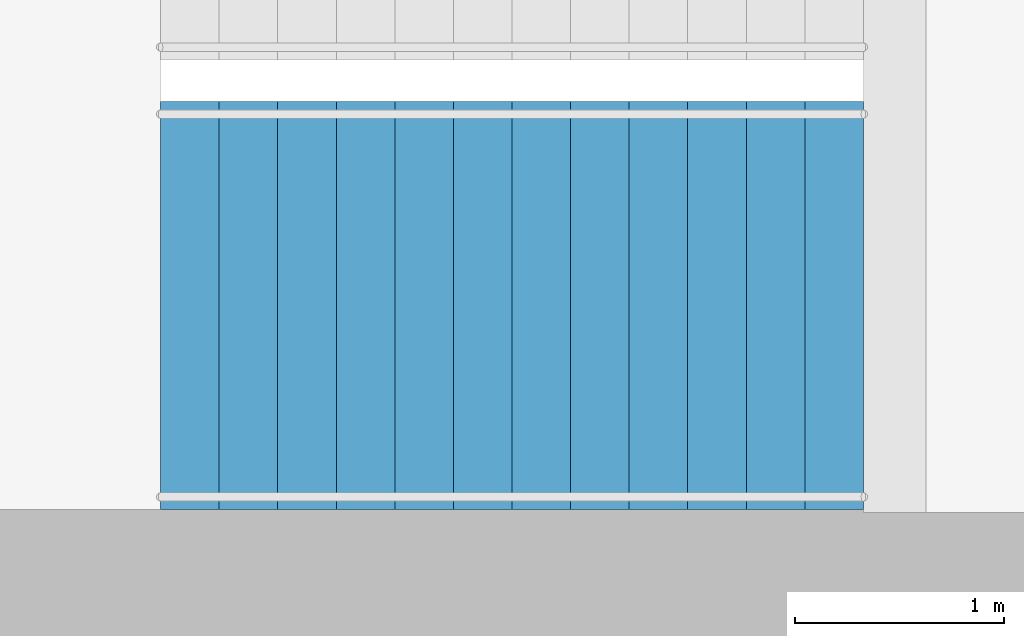
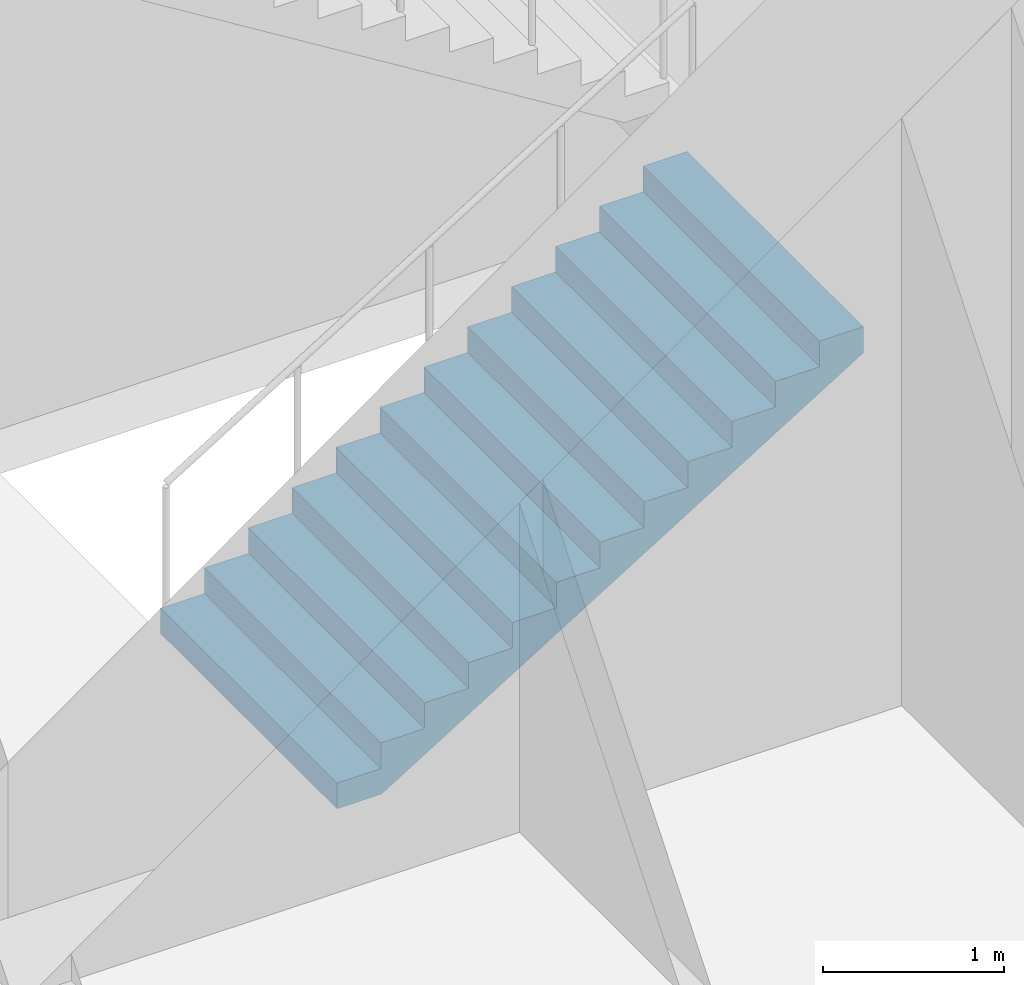
# One storey, part 22 of 35: 1 stair flight, 1 element without a shape of its own.
"""IFC4 building model written with IfcOpenShell, lengths in metres."""

from ifc_helpers import new_model, si_unit, direction, frame, origin, place, context, subcontext, project, spatial, triangles, material, type_object, element, aggregate, save


model = new_model("IFC4")

# Units and contexts
model_context = context("Model", 3, precision=1e-05, world=origin(), true_north=direction((0.0, 1.0)))
body_context = subcontext(model_context, "Body", "Model", "MODEL_VIEW")
ifc_project = project(units=[si_unit("LENGTHUNIT", "METRE"), si_unit("AREAUNIT", "SQUARE_METRE"), si_unit("VOLUMEUNIT", "CUBIC_METRE"), si_unit("PLANEANGLEUNIT", "RADIAN"), si_unit("MASSUNIT", "GRAM", prefix="KILO")], contexts=[model_context])

# Site, building, storey
site_placement = place(None, origin())
site = spatial("IfcSite", under=ifc_project, at=site_placement, CompositionType="ELEMENT")
building_placement = place(site_placement, origin())
building = spatial("IfcBuilding", under=site, at=building_placement, Name="Orbita Commons", CompositionType="ELEMENT")
storey_placement = place(building_placement, frame((0.0, 0.0, 208.300048828125)))
storey = spatial("IfcBuildingStorey", under=building, at=storey_placement, Name="L51", CompositionType="ELEMENT", Elevation=208.300048828125)

# Stair, stair flight
ifc_material_1 = material(Name="Precast concrete C40/50", Category="concrete")
stair_type = type_object("IfcStairType", Name="Exit stair S1 2 flights 13 risers 173", PredefinedType="HALF_TURN_STAIR", material=ifc_material_1)
stair_placement = place(storey_placement, origin())
stair = element("IfcStair", 1, at=stair_placement, inside=storey, type_object=stair_type, Name="Exit stair S1 L51", PredefinedType="HALF_TURN_STAIR")
ifc_material_2 = material(Name="Precast concrete C40/50", Category="concrete")
stair_flight_type = type_object("IfcStairFlightType", Name="Stair flight 13 risers 173 x 280", PredefinedType="STRAIGHT", material=ifc_material_2)
stair_flight_placement = place(storey_placement, frame((20.449951171875, 27.125, 0.0), z_axis=(0.0, 0.0, 1.0), x_axis=(1.0, 0.0, 0.0)))
stair_flight = element("IfcStairFlight", 2, at=stair_flight_placement, type_object=stair_flight_type, Name="S1 flight 1", NumberOfRisers=13, NumberOfTreads=12, PredefinedType="STRAIGHT", RiserHeight=0.173076923, TreadLength=0.28, context=body_context, shape_type="Tessellation", body=[
    triangles([(0.0, 0.974976, 0.0), (0.0, 0.974976, 0.021635), (0.0, 0.81248, 0.021635), (0.0, 0.81248, 0.0), (0.0, 0.649984, 0.021635), (0.0, 0.649984, 0.0), (0.0, 0.487488, 0.021635), (0.0, 0.487488, 0.0), (0.0, 0.324992, 0.021635), (0.0, 0.324992, 0.0), (0.0, 0.162496, 0.021635), (0.0, 0.162496, 0.0), (0.0, 0.0, 0.021635), (0.0, 0.0, 0.0), (0.0, -0.162496, 0.021635), (0.0, -0.162496, 0.0), (0.0, -0.324992, 0.021635), (0.0, -0.324992, 0.0), (0.0, -0.487488, 0.021635), (0.0, -0.487488, 0.0), (0.0, -0.649984, 0.021635), (0.0, -0.649984, 0.0), (0.0, -0.81248, 0.021635), (0.0, -0.81248, 0.0), (0.0, -0.974976, 0.021635), (0.0, -0.974976, 0.0), (0.0, 0.974976, 0.043269), (0.0, 0.81248, 0.043269), (0.0, 0.649984, 0.043269), (0.0, 0.487488, 0.043269), (0.0, 0.324992, 0.043269), (0.0, 0.162496, 0.043269), (0.0, 0.0, 0.043269), (0.0, -0.162496, 0.043269), (0.0, -0.324992, 0.043269), (0.0, -0.487488, 0.043269), (0.0, -0.649984, 0.043269), (0.0, -0.81248, 0.043269), (0.0, -0.974976, 0.043269), (0.0, 0.974976, 0.064904), (0.0, 0.81248, 0.064904), (0.0, 0.649984, 0.064904), (0.0, 0.487488, 0.064904), (0.0, 0.324992, 0.064904), (0.0, 0.162496, 0.064904), (0.0, 0.0, 0.064904), (0.0, -0.162496, 0.064904), (0.0, -0.324992, 0.064904), (0.0, -0.487488, 0.064904), (0.0, -0.649984, 0.064904), (0.0, -0.81248, 0.064904), (0.0, -0.974976, 0.064904), (0.0, 0.974976, 0.086538), (0.0, 0.81248, 0.086538), (0.0, 0.649984, 0.086538), (0.0, 0.487488, 0.086538), (0.0, 0.324992, 0.086538), (0.0, 0.162496, 0.086538), (0.0, 0.0, 0.086538), (0.0, -0.162496, 0.086538), (0.0, -0.324992, 0.086538), (0.0, -0.487488, 0.086538), (0.0, -0.649984, 0.086538), (0.0, -0.81248, 0.086538), (0.0, -0.974976, 0.086538), (0.0, 0.974976, 0.108173), (0.0, 0.81248, 0.108173), (0.0, 0.649984, 0.108173), (0.0, 0.487488, 0.108173), (0.0, 0.324992, 0.108173), (0.0, 0.162496, 0.108173), (0.0, 0.0, 0.108173), (0.0, -0.162496, 0.108173), (0.0, -0.324992, 0.108173), (0.0, -0.487488, 0.108173), (0.0, -0.649984, 0.108173), (0.0, -0.81248, 0.108173), (0.0, -0.974976, 0.108173), (0.0, 0.974976, 0.129808), (0.0, 0.81248, 0.129808), (0.0, 0.649984, 0.129808), (0.0, 0.487488, 0.129808), (0.0, 0.324992, 0.129808), (0.0, 0.162496, 0.129808), (0.0, 0.0, 0.129808), (0.0, -0.162496, 0.129808), (0.0, -0.324992, 0.129808), (0.0, -0.487488, 0.129808), (0.0, -0.649984, 0.129808), (0.0, -0.81248, 0.129808), (0.0, -0.974976, 0.129808), (0.0, 0.974976, 0.151442), (0.0, 0.81248, 0.151442), (0.0, 0.649984, 0.151442), (0.0, 0.487488, 0.151442), (0.0, 0.324992, 0.151442), (0.0, 0.162496, 0.151442), (0.0, 0.0, 0.151442), (0.0, -0.162496, 0.151442), (0.0, -0.324992, 0.151442), (0.0, -0.487488, 0.151442), (0.0, -0.649984, 0.151442), (0.0, -0.81248, 0.151442), (0.0, -0.974976, 0.151442), (0.0, 0.974976, 0.173077), (0.0, 0.81248, 0.173077), (0.0, 0.649984, 0.173077), (0.0, 0.487488, 0.173077), (0.0, 0.324992, 0.173077), (0.0, 0.162496, 0.173077), (0.0, 0.0, 0.173077), (0.0, -0.162496, 0.173077), (0.0, -0.324992, 0.173077), (0.0, -0.487488, 0.173077), (0.0, -0.649984, 0.173077), (0.0, -0.81248, 0.173077), (0.0, -0.974976, 0.173077), (0.28, 0.974976, 0.173077), (0.28, 0.81248, 0.173077), (0.28, 0.649984, 0.173077), (0.28, 0.487488, 0.173077), (0.28, 0.324992, 0.173077), (0.28, 0.162496, 0.173077), (0.28, 0.0, 0.173077), (0.28, -0.162496, 0.173077), (0.28, -0.324992, 0.173077), (0.28, -0.487488, 0.173077), (0.28, -0.649984, 0.173077), (0.28, -0.81248, 0.173077), (0.28, -0.974976, 0.173077), (0.28, 0.974976, 0.346154), (0.28, 0.81248, 0.346154), (0.28, 0.649984, 0.346154), (0.28, 0.487488, 0.346154), (0.28, 0.324992, 0.346154), (0.28, 0.162496, 0.346154), (0.28, 0.0, 0.346154), (0.28, -0.162496, 0.346154), (0.28, -0.324992, 0.346154), (0.28, -0.487488, 0.346154), (0.28, -0.649984, 0.346154), (0.28, -0.81248, 0.346154), (0.28, -0.974976, 0.346154), (0.56, 0.974976, 0.346154), (0.56, 0.81248, 0.346154), (0.56, 0.649984, 0.346154), (0.56, 0.487488, 0.346154), (0.56, 0.324992, 0.346154), (0.56, 0.162496, 0.346154), (0.56, 0.0, 0.346154), (0.56, -0.162496, 0.346154), (0.56, -0.324992, 0.346154), (0.56, -0.487488, 0.346154), (0.56, -0.649984, 0.346154), (0.56, -0.81248, 0.346154), (0.56, -0.974976, 0.346154), (0.56, 0.974976, 0.519231), (0.56, 0.81248, 0.519231), (0.56, 0.649984, 0.519231), (0.56, 0.487488, 0.519231), (0.56, 0.324992, 0.519231), (0.56, 0.162496, 0.519231), (0.56, 0.0, 0.519231), (0.56, -0.162496, 0.519231), (0.56, -0.324992, 0.519231), (0.56, -0.487488, 0.519231), (0.56, -0.649984, 0.519231), (0.56, -0.81248, 0.519231), (0.56, -0.974976, 0.519231), (0.84, 0.974976, 0.519231), (0.84, 0.81248, 0.519231), (0.84, 0.649984, 0.519231), (0.84, 0.487488, 0.519231), (0.84, 0.324992, 0.519231), (0.84, 0.162496, 0.519231), (0.84, 0.0, 0.519231), (0.84, -0.162496, 0.519231), (0.84, -0.324992, 0.519231), (0.84, -0.487488, 0.519231), (0.84, -0.649984, 0.519231), (0.84, -0.81248, 0.519231), (0.84, -0.974976, 0.519231), (0.84, 0.974976, 0.692308), (0.84, 0.81248, 0.692308), (0.84, 0.649984, 0.692308), (0.84, 0.487488, 0.692308), (0.84, 0.324992, 0.692308), (0.84, 0.162496, 0.692308), (0.84, 0.0, 0.692308), (0.84, -0.162496, 0.692308), (0.84, -0.324992, 0.692308), (0.84, -0.487488, 0.692308), (0.84, -0.649984, 0.692308), (0.84, -0.81248, 0.692308), (0.84, -0.974976, 0.692308), (1.12, 0.974976, 0.692308), (1.12, 0.81248, 0.692308), (1.12, 0.649984, 0.692308), (1.12, 0.487488, 0.692308), (1.12, 0.324992, 0.692308), (1.12, 0.162496, 0.692308), (1.12, 0.0, 0.692308), (1.12, -0.162496, 0.692308), (1.12, -0.324992, 0.692308), (1.12, -0.487488, 0.692308), (1.12, -0.649984, 0.692308), (1.12, -0.81248, 0.692308), (1.12, -0.974976, 0.692308), (1.12, 0.974976, 0.865385), (1.12, 0.81248, 0.865385), (1.12, 0.649984, 0.865385), (1.12, 0.487488, 0.865385), (1.12, 0.324992, 0.865385), (1.12, 0.162496, 0.865385), (1.12, 0.0, 0.865385), (1.12, -0.162496, 0.865385), (1.12, -0.324992, 0.865385), (1.12, -0.487488, 0.865385), (1.12, -0.649984, 0.865385), (1.12, -0.81248, 0.865385), (1.12, -0.974976, 0.865385), (1.4, 0.974976, 0.865385), (1.4, 0.81248, 0.865385), (1.4, 0.649984, 0.865385), (1.4, 0.487488, 0.865385), (1.4, 0.324992, 0.865385), (1.4, 0.162496, 0.865385), (1.4, 0.0, 0.865385), (1.4, -0.162496, 0.865385), (1.4, -0.324992, 0.865385), (1.4, -0.487488, 0.865385), (1.4, -0.649984, 0.865385), (1.4, -0.81248, 0.865385), (1.4, -0.974976, 0.865385), (1.4, 0.974976, 1.038462), (1.4, 0.81248, 1.038462), (1.4, 0.649984, 1.038462), (1.4, 0.487488, 1.038462), (1.4, 0.324992, 1.038462), (1.4, 0.162496, 1.038462), (1.4, 0.0, 1.038462), (1.4, -0.162496, 1.038462), (1.4, -0.324992, 1.038462), (1.4, -0.487488, 1.038462), (1.4, -0.649984, 1.038462), (1.4, -0.81248, 1.038462), (1.4, -0.974976, 1.038462), (1.68, 0.974976, 1.038462), (1.68, 0.81248, 1.038462), (1.68, 0.649984, 1.038462), (1.68, 0.487488, 1.038462), (1.68, 0.324992, 1.038462), (1.68, 0.162496, 1.038462), (1.68, 0.0, 1.038462), (1.68, -0.162496, 1.038462), (1.68, -0.324992, 1.038462), (1.68, -0.487488, 1.038462), (1.68, -0.649984, 1.038462), (1.68, -0.81248, 1.038462), (1.68, -0.974976, 1.038462), (1.68, 0.974976, 1.211538), (1.68, 0.81248, 1.211538), (1.68, 0.649984, 1.211538), (1.68, 0.487488, 1.211538), (1.68, 0.324992, 1.211538), (1.68, 0.162496, 1.211538), (1.68, 0.0, 1.211538), (1.68, -0.162496, 1.211538), (1.68, -0.324992, 1.211538), (1.68, -0.487488, 1.211538), (1.68, -0.649984, 1.211538), (1.68, -0.81248, 1.211538), (1.68, -0.974976, 1.211538), (1.96, 0.974976, 1.211538), (1.96, 0.81248, 1.211538), (1.96, 0.649984, 1.211538), (1.96, 0.487488, 1.211538), (1.96, 0.324992, 1.211538), (1.96, 0.162496, 1.211538), (1.96, 0.0, 1.211538), (1.96, -0.162496, 1.211538), (1.96, -0.324992, 1.211538), (1.96, -0.487488, 1.211538), (1.96, -0.649984, 1.211538), (1.96, -0.81248, 1.211538), (1.96, -0.974976, 1.211538), (1.96, 0.974976, 1.384615), (1.96, 0.81248, 1.384615), (1.96, 0.649984, 1.384615), (1.96, 0.487488, 1.384615), (1.96, 0.324992, 1.384615), (1.96, 0.162496, 1.384615), (1.96, 0.0, 1.384615), (1.96, -0.162496, 1.384615), (1.96, -0.324992, 1.384615), (1.96, -0.487488, 1.384615), (1.96, -0.649984, 1.384615), (1.96, -0.81248, 1.384615), (1.96, -0.974976, 1.384615), (2.24, 0.974976, 1.384615), (2.24, 0.81248, 1.384615), (2.24, 0.649984, 1.384615), (2.24, 0.487488, 1.384615), (2.24, 0.324992, 1.384615), (2.24, 0.162496, 1.384615), (2.24, 0.0, 1.384615), (2.24, -0.162496, 1.384615), (2.24, -0.324992, 1.384615), (2.24, -0.487488, 1.384615), (2.24, -0.649984, 1.384615), (2.24, -0.81248, 1.384615), (2.24, -0.974976, 1.384615), (2.24, 0.974976, 1.557692), (2.24, 0.81248, 1.557692), (2.24, 0.649984, 1.557692), (2.24, 0.487488, 1.557692), (2.24, 0.324992, 1.557692), (2.24, 0.162496, 1.557692), (2.24, 0.0, 1.557692), (2.24, -0.162496, 1.557692), (2.24, -0.324992, 1.557692), (2.24, -0.487488, 1.557692), (2.24, -0.649984, 1.557692), (2.24, -0.81248, 1.557692), (2.24, -0.974976, 1.557692), (2.52, 0.974976, 1.557692), (2.52, 0.81248, 1.557692), (2.52, 0.649984, 1.557692), (2.52, 0.487488, 1.557692), (2.52, 0.324992, 1.557692), (2.52, 0.162496, 1.557692), (2.52, 0.0, 1.557692), (2.52, -0.162496, 1.557692), (2.52, -0.324992, 1.557692), (2.52, -0.487488, 1.557692), (2.52, -0.649984, 1.557692), (2.52, -0.81248, 1.557692), (2.52, -0.974976, 1.557692), (2.52, 0.974976, 1.730769), (2.52, 0.81248, 1.730769), (2.52, 0.649984, 1.730769), (2.52, 0.487488, 1.730769), (2.52, 0.324992, 1.730769), (2.52, 0.162496, 1.730769), (2.52, 0.0, 1.730769), (2.52, -0.162496, 1.730769), (2.52, -0.324992, 1.730769), (2.52, -0.487488, 1.730769), (2.52, -0.649984, 1.730769), (2.52, -0.81248, 1.730769), (2.52, -0.974976, 1.730769), (2.8, 0.974976, 1.730769), (2.8, 0.81248, 1.730769), (2.8, 0.649984, 1.730769), (2.8, 0.487488, 1.730769), (2.8, 0.324992, 1.730769), (2.8, 0.162496, 1.730769), (2.8, 0.0, 1.730769), (2.8, -0.162496, 1.730769), (2.8, -0.324992, 1.730769), (2.8, -0.487488, 1.730769), (2.8, -0.649984, 1.730769), (2.8, -0.81248, 1.730769), (2.8, -0.974976, 1.730769), (2.8, 0.974976, 1.903846), (2.8, 0.81248, 1.903846), (2.8, 0.649984, 1.903846), (2.8, 0.487488, 1.903846), (2.8, 0.324992, 1.903846), (2.8, 0.162496, 1.903846), (2.8, 0.0, 1.903846), (2.8, -0.162496, 1.903846), (2.8, -0.324992, 1.903846), (2.8, -0.487488, 1.903846), (2.8, -0.649984, 1.903846), (2.8, -0.81248, 1.903846), (2.8, -0.974976, 1.903846), (3.08, 0.974976, 1.903846), (3.08, 0.81248, 1.903846), (3.08, 0.649984, 1.903846), (3.08, 0.487488, 1.903846), (3.08, 0.324992, 1.903846), (3.08, 0.162496, 1.903846), (3.08, 0.0, 1.903846), (3.08, -0.162496, 1.903846), (3.08, -0.324992, 1.903846), (3.08, -0.487488, 1.903846), (3.08, -0.649984, 1.903846), (3.08, -0.81248, 1.903846), (3.08, -0.974976, 1.903846), (3.08, 0.974976, 2.076923), (3.08, 0.81248, 2.076923), (3.08, 0.649984, 2.076923), (3.08, 0.487488, 2.076923), (3.08, 0.324992, 2.076923), (3.08, 0.162496, 2.076923), (3.08, 0.0, 2.076923), (3.08, -0.162496, 2.076923), (3.08, -0.324992, 2.076923), (3.08, -0.487488, 2.076923), (3.08, -0.649984, 2.076923), (3.08, -0.81248, 2.076923), (3.08, -0.974976, 2.076923), (3.36, 0.974976, 2.076923), (3.36, 0.81248, 2.076923), (3.36, 0.649984, 2.076923), (3.36, 0.487488, 2.076923), (3.36, 0.324992, 2.076923), (3.36, 0.162496, 2.076923), (3.36, 0.0, 2.076923), (3.36, -0.162496, 2.076923), (3.36, -0.324992, 2.076923), (3.36, -0.487488, 2.076923), (3.36, -0.649984, 2.076923), (3.36, -0.81248, 2.076923), (3.36, -0.974976, 2.076923), (3.36, 0.974976, 2.054895), (3.36, 0.81248, 2.054895), (3.36, 0.649984, 2.054895), (3.36, 0.487488, 2.054895), (3.36, 0.324992, 2.054895), (3.36, 0.162496, 2.054895), (3.36, 0.0, 2.054895), (3.36, -0.162496, 2.054895), (3.36, -0.324992, 2.054895), (3.36, -0.487488, 2.054895), (3.36, -0.649984, 2.054895), (3.36, -0.81248, 2.054895), (3.36, -0.974976, 2.054895), (3.36, 0.974976, 2.032866), (3.36, 0.81248, 2.032866), (3.36, 0.649984, 2.032866), (3.36, 0.487488, 2.032866), (3.36, 0.324992, 2.032866), (3.36, 0.162496, 2.032866), (3.36, 0.0, 2.032866), (3.36, -0.162496, 2.032866), (3.36, -0.324992, 2.032866), (3.36, -0.487488, 2.032866), (3.36, -0.649984, 2.032866), (3.36, -0.81248, 2.032866), (3.36, -0.974976, 2.032866), (3.36, 0.974976, 2.010837), (3.36, 0.81248, 2.010837), (3.36, 0.649984, 2.010837), (3.36, 0.487488, 2.010837), (3.36, 0.324992, 2.010837), (3.36, 0.162496, 2.010837), (3.36, 0.0, 2.010837), (3.36, -0.162496, 2.010837), (3.36, -0.324992, 2.010837), (3.36, -0.487488, 2.010837), (3.36, -0.649984, 2.010837), (3.36, -0.81248, 2.010837), (3.36, -0.974976, 2.010837), (3.36, 0.974976, 1.988809), (3.36, 0.81248, 1.988809), (3.36, 0.649984, 1.988809), (3.36, 0.487488, 1.988809), (3.36, 0.324992, 1.988809), (3.36, 0.162496, 1.988809), (3.36, 0.0, 1.988809), (3.36, -0.162496, 1.988809), (3.36, -0.324992, 1.988809), (3.36, -0.487488, 1.988809), (3.36, -0.649984, 1.988809), (3.36, -0.81248, 1.988809), (3.36, -0.974976, 1.988809), (3.36, 0.974976, 1.96678), (3.36, 0.81248, 1.96678), (3.36, 0.649984, 1.96678), (3.36, 0.487488, 1.96678), (3.36, 0.324992, 1.96678), (3.36, 0.162496, 1.96678), (3.36, 0.0, 1.96678), (3.36, -0.162496, 1.96678), (3.36, -0.324992, 1.96678), (3.36, -0.487488, 1.96678), (3.36, -0.649984, 1.96678), (3.36, -0.81248, 1.96678), (3.36, -0.974976, 1.96678), (3.36, 0.974976, 1.944752), (3.36, 0.81248, 1.944752), (3.36, 0.649984, 1.944752), (3.36, 0.487488, 1.944752), (3.36, 0.324992, 1.944752), (3.36, 0.162496, 1.944752), (3.36, 0.0, 1.944752), (3.36, -0.162496, 1.944752), (3.36, -0.324992, 1.944752), (3.36, -0.487488, 1.944752), (3.36, -0.649984, 1.944752), (3.36, -0.81248, 1.944752), (3.36, -0.974976, 1.944752), (3.36, 0.974976, 1.922723), (3.36, 0.81248, 1.922723), (3.36, 0.649984, 1.922723), (3.36, 0.487488, 1.922723), (3.36, 0.324992, 1.922723), (3.36, 0.162496, 1.922723), (3.36, 0.0, 1.922723), (3.36, -0.162496, 1.922723), (3.36, -0.324992, 1.922723), (3.36, -0.487488, 1.922723), (3.36, -0.649984, 1.922723), (3.36, -0.81248, 1.922723), (3.36, -0.974976, 1.922723), (3.36, 0.974976, 1.900695), (3.36, 0.81248, 1.900695), (3.36, 0.649984, 1.900695), (3.36, 0.487488, 1.900695), (3.36, 0.324992, 1.900695), (3.36, 0.162496, 1.900695), (3.36, 0.0, 1.900695), (3.36, -0.162496, 1.900695), (3.36, -0.324992, 1.900695), (3.36, -0.487488, 1.900695), (3.36, -0.649984, 1.900695), (3.36, -0.81248, 1.900695), (3.36, -0.974976, 1.900695), (0.285099, 0.974976, 0.0), (0.285099, 0.81248, 0.0), (0.285099, 0.649984, 0.0), (0.285099, 0.487488, 0.0), (0.285099, 0.324992, 0.0), (0.285099, 0.162496, 0.0), (0.285099, 0.0, 0.0), (0.285099, -0.162496, 0.0), (0.285099, -0.324992, 0.0), (0.285099, -0.487488, 0.0), (0.285099, -0.649984, 0.0), (0.285099, -0.81248, 0.0), (0.285099, -0.974976, 0.0)], [[3, 2, 1], [4, 3, 1], [5, 3, 4], [6, 5, 4], [7, 5, 6], [8, 7, 6], [9, 7, 8], [10, 9, 8], [11, 9, 10], [12, 11, 10], [13, 11, 12], [14, 13, 12], [15, 13, 14], [16, 15, 14], [17, 15, 16], [18, 17, 16], [19, 17, 18], [20, 19, 18], [21, 19, 20], [22, 21, 20], [23, 21, 22], [24, 23, 22], [25, 23, 24], [26, 25, 24], [28, 27, 2], [3, 28, 2], [29, 28, 3], [5, 29, 3], [30, 29, 5], [7, 30, 5], [31, 30, 7], [9, 31, 7], [32, 31, 9], [11, 32, 9], [33, 32, 11], [13, 33, 11], [34, 33, 13], [15, 34, 13], [35, 34, 15], [17, 35, 15], [36, 35, 17], [19, 36, 17], [37, 36, 19], [21, 37, 19], [38, 37, 21], [23, 38, 21], [39, 38, 23], [25, 39, 23], [41, 40, 27], [28, 41, 27], [42, 41, 28], [29, 42, 28], [43, 42, 29], [30, 43, 29], [44, 43, 30], [31, 44, 30], [45, 44, 31], [32, 45, 31], [46, 45, 32], [33, 46, 32], [47, 46, 33], [34, 47, 33], [48, 47, 34], [35, 48, 34], [49, 48, 35], [36, 49, 35], [50, 49, 36], [37, 50, 36], [51, 50, 37], [38, 51, 37], [52, 51, 38], [39, 52, 38], [54, 53, 40], [41, 54, 40], [55, 54, 41], [42, 55, 41], [56, 55, 42], [43, 56, 42], [57, 56, 43], [44, 57, 43], [58, 57, 44], [45, 58, 44], [59, 58, 45], [46, 59, 45], [60, 59, 46], [47, 60, 46], [61, 60, 47], [48, 61, 47], [62, 61, 48], [49, 62, 48], [63, 62, 49], [50, 63, 49], [64, 63, 50], [51, 64, 50], [65, 64, 51], [52, 65, 51], [67, 66, 53], [54, 67, 53], [68, 67, 54], [55, 68, 54], [69, 68, 55], [56, 69, 55], [70, 69, 56], [57, 70, 56], [71, 70, 57], [58, 71, 57], [72, 71, 58], [59, 72, 58], [73, 72, 59], [60, 73, 59], [74, 73, 60], [61, 74, 60], [75, 74, 61], [62, 75, 61], [76, 75, 62], [63, 76, 62], [77, 76, 63], [64, 77, 63], [78, 77, 64], [65, 78, 64], [80, 79, 66], [67, 80, 66], [81, 80, 67], [68, 81, 67], [82, 81, 68], [69, 82, 68], [83, 82, 69], [70, 83, 69], [84, 83, 70], [71, 84, 70], [85, 84, 71], [72, 85, 71], [86, 85, 72], [73, 86, 72], [87, 86, 73], [74, 87, 73], [88, 87, 74], [75, 88, 74], [89, 88, 75], [76, 89, 75], [90, 89, 76], [77, 90, 76], [91, 90, 77], [78, 91, 77], [93, 92, 79], [80, 93, 79], [94, 93, 80], [81, 94, 80], [95, 94, 81], [82, 95, 81], [96, 95, 82], [83, 96, 82], [97, 96, 83], [84, 97, 83], [98, 97, 84], [85, 98, 84], [99, 98, 85], [86, 99, 85], [100, 99, 86], [87, 100, 86], [101, 100, 87], [88, 101, 87], [102, 101, 88], [89, 102, 88], [103, 102, 89], [90, 103, 89], [104, 103, 90], [91, 104, 90], [106, 105, 92], [93, 106, 92], [107, 106, 93], [94, 107, 93], [108, 107, 94], [95, 108, 94], [109, 108, 95], [96, 109, 95], [110, 109, 96], [97, 110, 96], [111, 110, 97], [98, 111, 97], [112, 111, 98], [99, 112, 98], [113, 112, 99], [100, 113, 99], [114, 113, 100], [101, 114, 100], [115, 114, 101], [102, 115, 101], [116, 115, 102], [103, 116, 102], [117, 116, 103], [104, 117, 103], [119, 118, 105], [106, 119, 105], [120, 119, 106], [107, 120, 106], [121, 120, 107], [108, 121, 107], [122, 121, 108], [109, 122, 108], [123, 122, 109], [110, 123, 109], [124, 123, 110], [111, 124, 110], [125, 124, 111], [112, 125, 111], [126, 125, 112], [113, 126, 112], [127, 126, 113], [114, 127, 113], [128, 127, 114], [115, 128, 114], [129, 128, 115], [116, 129, 115], [130, 129, 116], [117, 130, 116], [132, 131, 118], [119, 132, 118], [133, 132, 119], [120, 133, 119], [134, 133, 120], [121, 134, 120], [135, 134, 121], [122, 135, 121], [136, 135, 122], [123, 136, 122], [137, 136, 123], [124, 137, 123], [138, 137, 124], [125, 138, 124], [139, 138, 125], [126, 139, 125], [140, 139, 126], [127, 140, 126], [141, 140, 127], [128, 141, 127], [142, 141, 128], [129, 142, 128], [143, 142, 129], [130, 143, 129], [145, 144, 131], [132, 145, 131], [146, 145, 132], [133, 146, 132], [147, 146, 133], [134, 147, 133], [148, 147, 134], [135, 148, 134], [149, 148, 135], [136, 149, 135], [150, 149, 136], [137, 150, 136], [151, 150, 137], [138, 151, 137], [152, 151, 138], [139, 152, 138], [153, 152, 139], [140, 153, 139], [154, 153, 140], [141, 154, 140], [155, 154, 141], [142, 155, 141], [156, 155, 142], [143, 156, 142], [158, 157, 144], [145, 158, 144], [159, 158, 145], [146, 159, 145], [160, 159, 146], [147, 160, 146], [161, 160, 147], [148, 161, 147], [162, 161, 148], [149, 162, 148], [163, 162, 149], [150, 163, 149], [164, 163, 150], [151, 164, 150], [165, 164, 151], [152, 165, 151], [166, 165, 152], [153, 166, 152], [167, 166, 153], [154, 167, 153], [168, 167, 154], [155, 168, 154], [169, 168, 155], [156, 169, 155], [171, 170, 157], [158, 171, 157], [172, 171, 158], [159, 172, 158], [173, 172, 159], [160, 173, 159], [174, 173, 160], [161, 174, 160], [175, 174, 161], [162, 175, 161], [176, 175, 162], [163, 176, 162], [177, 176, 163], [164, 177, 163], [178, 177, 164], [165, 178, 164], [179, 178, 165], [166, 179, 165], [180, 179, 166], [167, 180, 166], [181, 180, 167], [168, 181, 167], [182, 181, 168], [169, 182, 168], [184, 183, 170], [171, 184, 170], [185, 184, 171], [172, 185, 171], [186, 185, 172], [173, 186, 172], [187, 186, 173], [174, 187, 173], [188, 187, 174], [175, 188, 174], [189, 188, 175], [176, 189, 175], [190, 189, 176], [177, 190, 176], [191, 190, 177], [178, 191, 177], [192, 191, 178], [179, 192, 178], [193, 192, 179], [180, 193, 179], [194, 193, 180], [181, 194, 180], [195, 194, 181], [182, 195, 181], [197, 196, 183], [184, 197, 183], [198, 197, 184], [185, 198, 184], [199, 198, 185], [186, 199, 185], [200, 199, 186], [187, 200, 186], [201, 200, 187], [188, 201, 187], [202, 201, 188], [189, 202, 188], [203, 202, 189], [190, 203, 189], [204, 203, 190], [191, 204, 190], [205, 204, 191], [192, 205, 191], [206, 205, 192], [193, 206, 192], [207, 206, 193], [194, 207, 193], [208, 207, 194], [195, 208, 194], [210, 209, 196], [197, 210, 196], [211, 210, 197], [198, 211, 197], [212, 211, 198], [199, 212, 198], [213, 212, 199], [200, 213, 199], [214, 213, 200], [201, 214, 200], [215, 214, 201], [202, 215, 201], [216, 215, 202], [203, 216, 202], [217, 216, 203], [204, 217, 203], [218, 217, 204], [205, 218, 204], [219, 218, 205], [206, 219, 205], [220, 219, 206], [207, 220, 206], [221, 220, 207], [208, 221, 207], [223, 222, 209], [210, 223, 209], [224, 223, 210], [211, 224, 210], [225, 224, 211], [212, 225, 211], [226, 225, 212], [213, 226, 212], [227, 226, 213], [214, 227, 213], [228, 227, 214], [215, 228, 214], [229, 228, 215], [216, 229, 215], [230, 229, 216], [217, 230, 216], [231, 230, 217], [218, 231, 217], [232, 231, 218], [219, 232, 218], [233, 232, 219], [220, 233, 219], [234, 233, 220], [221, 234, 220], [236, 235, 222], [223, 236, 222], [237, 236, 223], [224, 237, 223], [238, 237, 224], [225, 238, 224], [239, 238, 225], [226, 239, 225], [240, 239, 226], [227, 240, 226], [241, 240, 227], [228, 241, 227], [242, 241, 228], [229, 242, 228], [243, 242, 229], [230, 243, 229], [244, 243, 230], [231, 244, 230], [245, 244, 231], [232, 245, 231], [246, 245, 232], [233, 246, 232], [247, 246, 233], [234, 247, 233], [249, 248, 235], [236, 249, 235], [250, 249, 236], [237, 250, 236], [251, 250, 237], [238, 251, 237], [252, 251, 238], [239, 252, 238], [253, 252, 239], [240, 253, 239], [254, 253, 240], [241, 254, 240], [255, 254, 241], [242, 255, 241], [256, 255, 242], [243, 256, 242], [257, 256, 243], [244, 257, 243], [258, 257, 244], [245, 258, 244], [259, 258, 245], [246, 259, 245], [260, 259, 246], [247, 260, 246], [262, 261, 248], [249, 262, 248], [263, 262, 249], [250, 263, 249], [264, 263, 250], [251, 264, 250], [265, 264, 251], [252, 265, 251], [266, 265, 252], [253, 266, 252], [267, 266, 253], [254, 267, 253], [268, 267, 254], [255, 268, 254], [269, 268, 255], [256, 269, 255], [270, 269, 256], [257, 270, 256], [271, 270, 257], [258, 271, 257], [272, 271, 258], [259, 272, 258], [273, 272, 259], [260, 273, 259], [275, 274, 261], [262, 275, 261], [276, 275, 262], [263, 276, 262], [277, 276, 263], [264, 277, 263], [278, 277, 264], [265, 278, 264], [279, 278, 265], [266, 279, 265], [280, 279, 266], [267, 280, 266], [281, 280, 267], [268, 281, 267], [282, 281, 268], [269, 282, 268], [283, 282, 269], [270, 283, 269], [284, 283, 270], [271, 284, 270], [285, 284, 271], [272, 285, 271], [286, 285, 272], [273, 286, 272], [288, 287, 274], [275, 288, 274], [289, 288, 275], [276, 289, 275], [290, 289, 276], [277, 290, 276], [291, 290, 277], [278, 291, 277], [292, 291, 278], [279, 292, 278], [293, 292, 279], [280, 293, 279], [294, 293, 280], [281, 294, 280], [295, 294, 281], [282, 295, 281], [296, 295, 282], [283, 296, 282], [297, 296, 283], [284, 297, 283], [298, 297, 284], [285, 298, 284], [299, 298, 285], [286, 299, 285], [301, 300, 287], [288, 301, 287], [302, 301, 288], [289, 302, 288], [303, 302, 289], [290, 303, 289], [304, 303, 290], [291, 304, 290], [305, 304, 291], [292, 305, 291], [306, 305, 292], [293, 306, 292], [307, 306, 293], [294, 307, 293], [308, 307, 294], [295, 308, 294], [309, 308, 295], [296, 309, 295], [310, 309, 296], [297, 310, 296], [311, 310, 297], [298, 311, 297], [312, 311, 298], [299, 312, 298], [314, 313, 300], [301, 314, 300], [315, 314, 301], [302, 315, 301], [316, 315, 302], [303, 316, 302], [317, 316, 303], [304, 317, 303], [318, 317, 304], [305, 318, 304], [319, 318, 305], [306, 319, 305], [320, 319, 306], [307, 320, 306], [321, 320, 307], [308, 321, 307], [322, 321, 308], [309, 322, 308], [323, 322, 309], [310, 323, 309], [324, 323, 310], [311, 324, 310], [325, 324, 311], [312, 325, 311], [327, 326, 313], [314, 327, 313], [328, 327, 314], [315, 328, 314], [329, 328, 315], [316, 329, 315], [330, 329, 316], [317, 330, 316], [331, 330, 317], [318, 331, 317], [332, 331, 318], [319, 332, 318], [333, 332, 319], [320, 333, 319], [334, 333, 320], [321, 334, 320], [335, 334, 321], [322, 335, 321], [336, 335, 322], [323, 336, 322], [337, 336, 323], [324, 337, 323], [338, 337, 324], [325, 338, 324], [340, 339, 326], [327, 340, 326], [341, 340, 327], [328, 341, 327], [342, 341, 328], [329, 342, 328], [343, 342, 329], [330, 343, 329], [344, 343, 330], [331, 344, 330], [345, 344, 331], [332, 345, 331], [346, 345, 332], [333, 346, 332], [347, 346, 333], [334, 347, 333], [348, 347, 334], [335, 348, 334], [349, 348, 335], [336, 349, 335], [350, 349, 336], [337, 350, 336], [351, 350, 337], [338, 351, 337], [353, 352, 339], [340, 353, 339], [354, 353, 340], [341, 354, 340], [355, 354, 341], [342, 355, 341], [356, 355, 342], [343, 356, 342], [357, 356, 343], [344, 357, 343], [358, 357, 344], [345, 358, 344], [359, 358, 345], [346, 359, 345], [360, 359, 346], [347, 360, 346], [361, 360, 347], [348, 361, 347], [362, 361, 348], [349, 362, 348], [363, 362, 349], [350, 363, 349], [364, 363, 350], [351, 364, 350], [366, 365, 352], [353, 366, 352], [367, 366, 353], [354, 367, 353], [368, 367, 354], [355, 368, 354], [369, 368, 355], [356, 369, 355], [370, 369, 356], [357, 370, 356], [371, 370, 357], [358, 371, 357], [372, 371, 358], [359, 372, 358], [373, 372, 359], [360, 373, 359], [374, 373, 360], [361, 374, 360], [375, 374, 361], [362, 375, 361], [376, 375, 362], [363, 376, 362], [377, 376, 363], [364, 377, 363], [379, 378, 365], [366, 379, 365], [380, 379, 366], [367, 380, 366], [381, 380, 367], [368, 381, 367], [382, 381, 368], [369, 382, 368], [383, 382, 369], [370, 383, 369], [384, 383, 370], [371, 384, 370], [385, 384, 371], [372, 385, 371], [386, 385, 372], [373, 386, 372], [387, 386, 373], [374, 387, 373], [388, 387, 374], [375, 388, 374], [389, 388, 375], [376, 389, 375], [390, 389, 376], [377, 390, 376], [392, 391, 378], [379, 392, 378], [393, 392, 379], [380, 393, 379], [394, 393, 380], [381, 394, 380], [395, 394, 381], [382, 395, 381], [396, 395, 382], [383, 396, 382], [397, 396, 383], [384, 397, 383], [398, 397, 384], [385, 398, 384], [399, 398, 385], [386, 399, 385], [400, 399, 386], [387, 400, 386], [401, 400, 387], [388, 401, 387], [402, 401, 388], [389, 402, 388], [403, 402, 389], [390, 403, 389], [405, 404, 391], [392, 405, 391], [406, 405, 392], [393, 406, 392], [407, 406, 393], [394, 407, 393], [408, 407, 394], [395, 408, 394], [409, 408, 395], [396, 409, 395], [410, 409, 396], [397, 410, 396], [411, 410, 397], [398, 411, 397], [412, 411, 398], [399, 412, 398], [413, 412, 399], [400, 413, 399], [414, 413, 400], [401, 414, 400], [415, 414, 401], [402, 415, 401], [416, 415, 402], [403, 416, 402], [418, 417, 404], [405, 418, 404], [419, 418, 405], [406, 419, 405], [420, 419, 406], [407, 420, 406], [421, 420, 407], [408, 421, 407], [422, 421, 408], [409, 422, 408], [423, 422, 409], [410, 423, 409], [424, 423, 410], [411, 424, 410], [425, 424, 411], [412, 425, 411], [426, 425, 412], [413, 426, 412], [427, 426, 413], [414, 427, 413], [428, 427, 414], [415, 428, 414], [429, 428, 415], [416, 429, 415], [431, 430, 417], [418, 431, 417], [432, 431, 418], [419, 432, 418], [433, 432, 419], [420, 433, 419], [434, 433, 420], [421, 434, 420], [435, 434, 421], [422, 435, 421], [436, 435, 422], [423, 436, 422], [437, 436, 423], [424, 437, 423], [438, 437, 424], [425, 438, 424], [439, 438, 425], [426, 439, 425], [440, 439, 426], [427, 440, 426], [441, 440, 427], [428, 441, 427], [442, 441, 428], [429, 442, 428], [444, 443, 430], [431, 444, 430], [445, 444, 431], [432, 445, 431], [446, 445, 432], [433, 446, 432], [447, 446, 433], [434, 447, 433], [448, 447, 434], [435, 448, 434], [449, 448, 435], [436, 449, 435], [450, 449, 436], [437, 450, 436], [451, 450, 437], [438, 451, 437], [452, 451, 438], [439, 452, 438], [453, 452, 439], [440, 453, 439], [454, 453, 440], [441, 454, 440], [455, 454, 441], [442, 455, 441], [457, 456, 443], [444, 457, 443], [458, 457, 444], [445, 458, 444], [459, 458, 445], [446, 459, 445], [460, 459, 446], [447, 460, 446], [461, 460, 447], [448, 461, 447], [462, 461, 448], [449, 462, 448], [463, 462, 449], [450, 463, 449], [464, 463, 450], [451, 464, 450], [465, 464, 451], [452, 465, 451], [466, 465, 452], [453, 466, 452], [467, 466, 453], [454, 467, 453], [468, 467, 454], [455, 468, 454], [470, 469, 456], [457, 470, 456], [471, 470, 457], [458, 471, 457], [472, 471, 458], [459, 472, 458], [473, 472, 459], [460, 473, 459], [474, 473, 460], [461, 474, 460], [475, 474, 461], [462, 475, 461], [476, 475, 462], [463, 476, 462], [477, 476, 463], [464, 477, 463], [478, 477, 464], [465, 478, 464], [479, 478, 465], [466, 479, 465], [480, 479, 466], [467, 480, 466], [481, 480, 467], [468, 481, 467], [483, 482, 469], [470, 483, 469], [484, 483, 470], [471, 484, 470], [485, 484, 471], [472, 485, 471], [486, 485, 472], [473, 486, 472], [487, 486, 473], [474, 487, 473], [488, 487, 474], [475, 488, 474], [489, 488, 475], [476, 489, 475], [490, 489, 476], [477, 490, 476], [491, 490, 477], [478, 491, 477], [492, 491, 478], [479, 492, 478], [493, 492, 479], [480, 493, 479], [494, 493, 480], [481, 494, 480], [496, 495, 482], [483, 496, 482], [497, 496, 483], [484, 497, 483], [498, 497, 484], [485, 498, 484], [499, 498, 485], [486, 499, 485], [500, 499, 486], [487, 500, 486], [501, 500, 487], [488, 501, 487], [502, 501, 488], [489, 502, 488], [503, 502, 489], [490, 503, 489], [504, 503, 490], [491, 504, 490], [505, 504, 491], [492, 505, 491], [506, 505, 492], [493, 506, 492], [507, 506, 493], [494, 507, 493], [509, 508, 495], [496, 509, 495], [510, 509, 496], [497, 510, 496], [511, 510, 497], [498, 511, 497], [512, 511, 498], [499, 512, 498], [513, 512, 499], [500, 513, 499], [514, 513, 500], [501, 514, 500], [515, 514, 501], [502, 515, 501], [516, 515, 502], [503, 516, 502], [517, 516, 503], [504, 517, 503], [518, 517, 504], [505, 518, 504], [519, 518, 505], [506, 519, 505], [520, 519, 506], [507, 520, 506], [522, 521, 508], [509, 522, 508], [523, 522, 509], [510, 523, 509], [524, 523, 510], [511, 524, 510], [525, 524, 511], [512, 525, 511], [526, 525, 512], [513, 526, 512], [527, 526, 513], [514, 527, 513], [528, 527, 514], [515, 528, 514], [529, 528, 515], [516, 529, 515], [530, 529, 516], [517, 530, 516], [531, 530, 517], [518, 531, 517], [532, 531, 518], [519, 532, 518], [533, 532, 519], [520, 533, 519], [4, 1, 521], [522, 4, 521], [6, 4, 522], [523, 6, 522], [8, 6, 523], [524, 8, 523], [10, 8, 524], [525, 10, 524], [12, 10, 525], [526, 12, 525], [14, 12, 526], [527, 14, 526], [16, 14, 527], [528, 16, 527], [18, 16, 528], [529, 18, 528], [20, 18, 529], [530, 20, 529], [22, 20, 530], [531, 22, 530], [24, 22, 531], [532, 24, 531], [26, 24, 532], [533, 26, 532], [508, 521, 1], [26, 533, 520], [495, 508, 1], [26, 520, 507], [482, 495, 1], [26, 507, 494], [469, 482, 1], [26, 494, 481], [456, 469, 1], [26, 481, 468], [443, 456, 1], [26, 468, 455], [430, 443, 1], [26, 455, 442], [417, 430, 1], [26, 442, 429], [391, 404, 417], [429, 416, 403], [378, 391, 417], [429, 403, 390], [352, 365, 378], [390, 377, 364], [352, 378, 417], [429, 390, 364], [326, 339, 352], [364, 351, 338], [326, 352, 417], [429, 364, 338], [300, 313, 326], [338, 325, 312], [300, 326, 417], [429, 338, 312], [274, 287, 300], [312, 299, 286], [274, 300, 417], [429, 312, 286], [248, 261, 274], [286, 273, 260], [248, 274, 417], [429, 286, 260], [222, 235, 248], [260, 247, 234], [222, 248, 417], [429, 260, 234], [196, 209, 222], [234, 221, 208], [196, 222, 417], [429, 234, 208], [170, 183, 196], [208, 195, 182], [170, 196, 417], [429, 208, 182], [144, 157, 170], [182, 169, 156], [144, 170, 417], [429, 182, 156], [118, 131, 144], [156, 143, 130], [118, 144, 417], [429, 156, 130], [118, 417, 1], [26, 429, 130], [92, 105, 118], [130, 117, 104], [79, 92, 118], [130, 104, 91], [66, 79, 118], [130, 91, 78], [53, 66, 118], [130, 78, 65], [40, 53, 118], [130, 65, 52], [27, 40, 118], [130, 52, 39], [2, 27, 118], [130, 39, 25], [1, 2, 118], [130, 25, 26]], closed=True),
])
aggregate(stair, [stair_flight])

save(model, "model.ifc")
